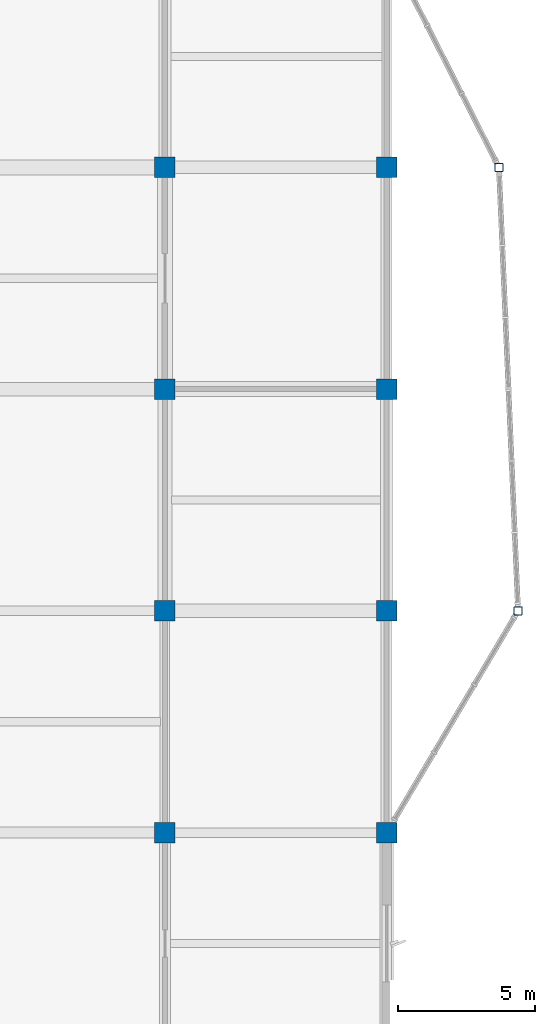
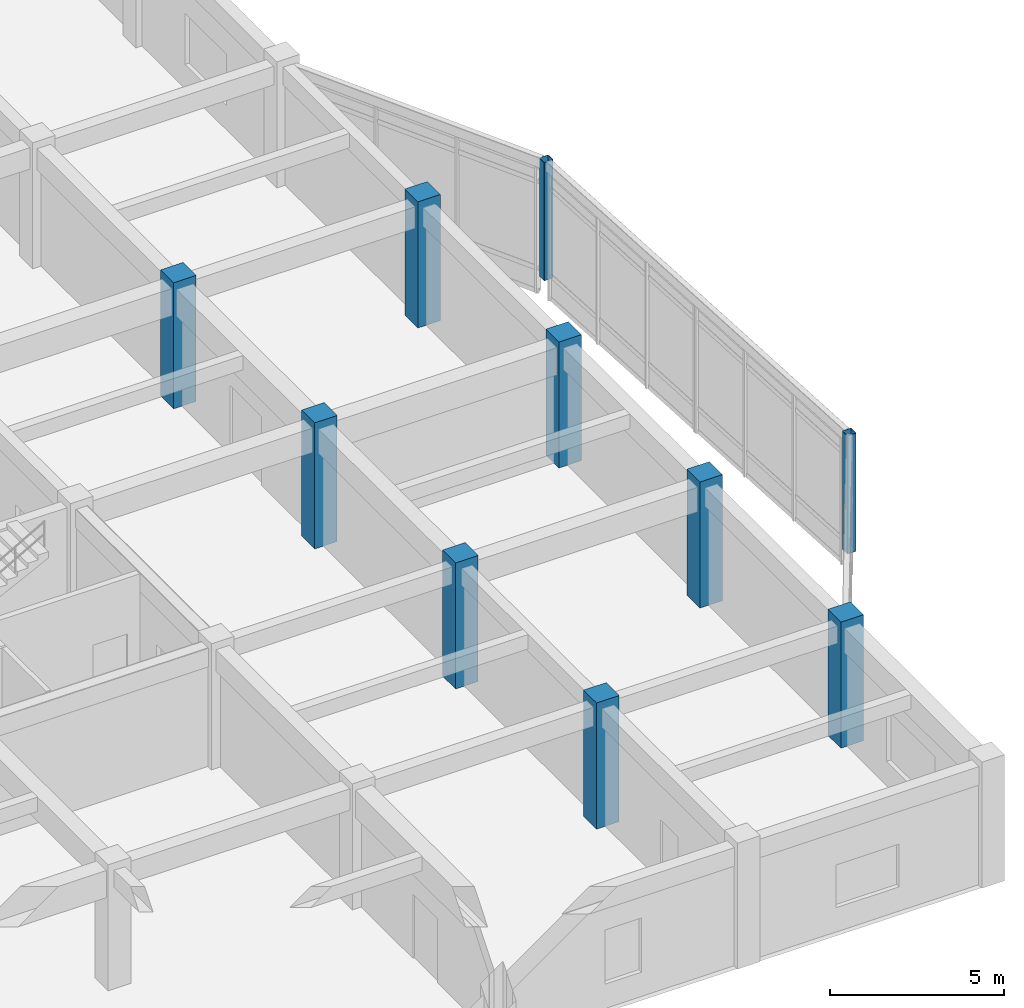
# One storey, part 5 of 70: 10 columns.
"""IFC4 building model written with IfcOpenShell, lengths in metres."""

from ifc_helpers import new_model, si_unit, direction, frame, origin, origin_2d, place, context, subcontext, project, spatial, rectangle, hollow_rectangle, extrude, material, material_profile, profile_set, type_object, element, save


model = new_model("IFC4")

# Units and contexts
model_context = context("Model", 3, precision=1e-05, world=origin(), true_north=direction((0.0, 1.0)))
body_context = subcontext(model_context, "Body", "Model", "MODEL_VIEW")
ifc_project = project(units=[si_unit("LENGTHUNIT", "METRE"), si_unit("AREAUNIT", "SQUARE_METRE"), si_unit("VOLUMEUNIT", "CUBIC_METRE"), si_unit("PLANEANGLEUNIT", "RADIAN"), si_unit("MASSUNIT", "GRAM", prefix="KILO")], contexts=[model_context])

# Site, building, storey
site_placement = place(None, origin())
site = spatial("IfcSite", under=ifc_project, at=site_placement, CompositionType="ELEMENT")
building_placement = place(site_placement, origin())
building = spatial("IfcBuilding", under=site, at=building_placement, Name="Vaudrelin Polytechnic", CompositionType="ELEMENT")
storey_placement = place(building_placement, frame((0.0, 0.0, 14.110107421875)))
storey = spatial("IfcBuildingStorey", under=building, at=storey_placement, Name="L03", CompositionType="ELEMENT", Elevation=14.110107421875)

# Columns
ifc_material_1 = material(Name="Steel CSA G40.21 350WT", Category="steel")
ifc_material_profile_1 = material_profile(ifc_material_1, hollow_rectangle(XDim=0.304931640625, YDim=0.304931640625, WallThickness=0.0126953125, InnerFilletRadius=0.0126953125, OuterFilletRadius=0.025390625, at=origin_2d()), Name="HSS305x305x12.7")
ifc_profile_set_1 = profile_set([ifc_material_profile_1], Name="Steel CSA G40.21 350WT")
column_type_1 = type_object("IfcColumnType", Name="COL-C-HSS305", PredefinedType="COLUMN", material=ifc_profile_set_1)
for number, where, z_axis, x_axis, name in (
    (1, (174.89990234375, 32.39990234375, 0.0), (0.0, 0.0, 1.0), (1.0, 0.0, 0.0), "Deconstructivist column L03 E_OR1_1"),
    (2, (174.199951171875, 48.60009765625, 0.0), (0.0, 0.0, 1.0), (1.0, 0.0, 0.0), "Deconstructivist column L03 E_OR1_2"),
):
    element("IfcColumn", number, at=place(storey_placement, frame(where, z_axis=z_axis, x_axis=x_axis)), inside=storey, type_object=column_type_1, Name=name, PredefinedType="COLUMN", context=body_context, shape_type="SweptSolid", body=[
        extrude(hollow_rectangle(XDim=0.304931640625, YDim=0.304931640625, WallThickness=0.0126953125, InnerFilletRadius=0.0126953125, OuterFilletRadius=0.025390625, at=origin_2d()), origin(), (0.0, 0.0, 1.0), 4.139892578125),
    ])
ifc_material_2 = material(Name="Concrete 50 MPa", Category="concrete")
ifc_material_profile_2 = material_profile(ifc_material_2, rectangle(XDim=0.75, YDim=0.75, at=origin_2d()), Name="RC750x750")
ifc_profile_set_2 = profile_set([ifc_material_profile_2], Name="Concrete 50 MPa")
column_type_2 = type_object("IfcColumnType", Name="COL-C-RC750", PredefinedType="COLUMN", material=ifc_profile_set_2)
for number, where, z_axis, x_axis, name in (
    (3, (162.0, 24.300048828125, 0.0), (0.0, 0.0, 1.0), (1.0, 0.0, 0.0), "Column L03 21-4"),
    (4, (162.0, 32.39990234375, 0.0), (0.0, 0.0, 1.0), (1.0, 0.0, 0.0), "Column L03 21-5"),
    (5, (162.0, 40.5, 0.0), (0.0, 0.0, 1.0), (1.0, 0.0, 0.0), "Column L03 21-6"),
    (6, (162.0, 48.60009765625, 0.0), (0.0, 0.0, 1.0), (1.0, 0.0, 0.0), "Column L03 21-7"),
    (7, (170.10009765625, 24.300048828125, 0.0), (0.0, 0.0, 1.0), (1.0, 0.0, 0.0), "Column L03 22-4"),
    (8, (170.10009765625, 32.39990234375, 0.0), (0.0, 0.0, 1.0), (1.0, 0.0, 0.0), "Column L03 22-5"),
    (9, (170.10009765625, 40.5, 0.0), (0.0, 0.0, 1.0), (1.0, 0.0, 0.0), "Column L03 22-6"),
    (10, (170.10009765625, 48.60009765625, 0.0), (0.0, 0.0, 1.0), (1.0, 0.0, 0.0), "Column L03 22-7"),
):
    element("IfcColumn", number, at=place(storey_placement, frame(where, z_axis=z_axis, x_axis=x_axis)), inside=storey, type_object=column_type_2, Name=name, PredefinedType="COLUMN", context=body_context, shape_type="SweptSolid", body=[
        extrude(rectangle(XDim=0.75, YDim=0.75, at=origin_2d()), origin(), (0.0, 0.0, 1.0), 4.419921875),
    ])

save(model, "model.ifc")
